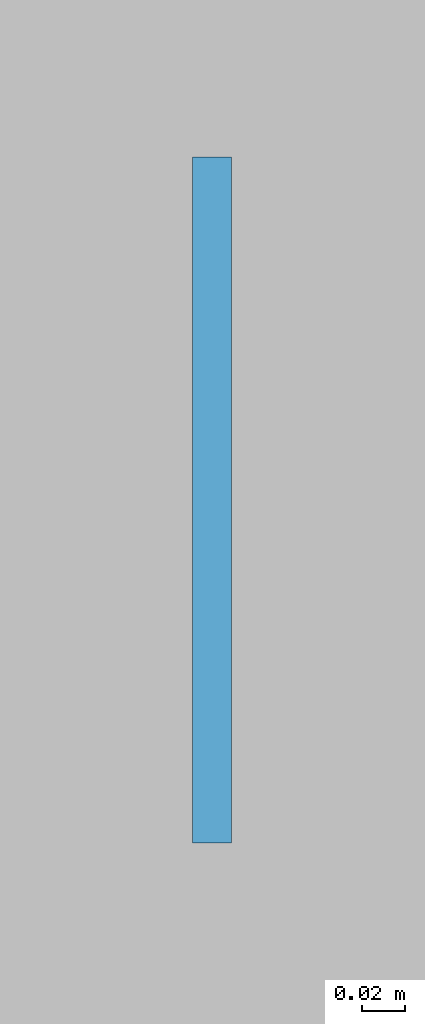
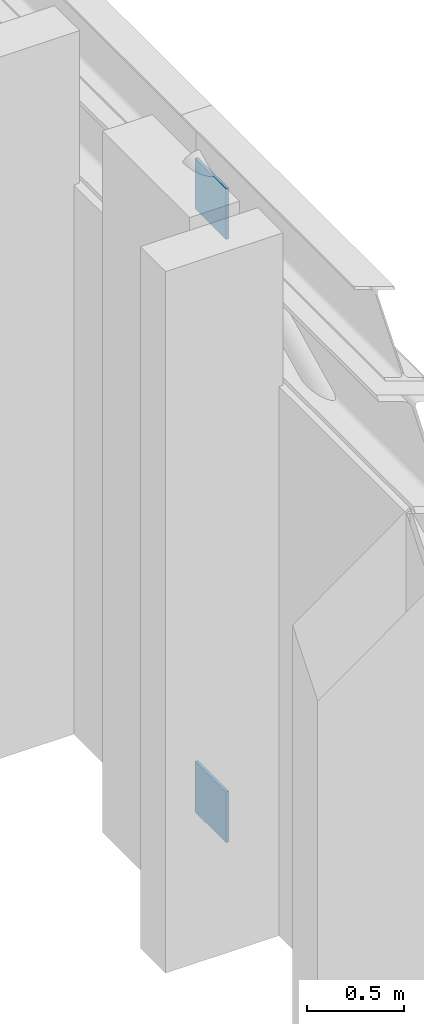
# One storey, part 141 of 192: 2 plates.
"""IFC4 building model written with IfcOpenShell, lengths in metres."""

import ifcopenshell
import ifcopenshell.guid

model = None  # the IFC model being written
_history = None  # IfcOwnerHistory: only IFC2X3 demands one
_inside = {}  # id of a spatial element -> (the spatial element, [elements in it])
_under = {}  # id of a project, library or spatial element -> (it, [spatial elements below it])
_declared = {}  # id of a project -> (the project, [libraries it declares])
_typed = {}  # id of a type object -> (the type object, [elements of that type])
_made_of = {}  # id of a material, layer set ... -> (it, [elements and type objects made of it])


def new_model(schema):
    """Start an empty IFC model of exactly this schema.

    Asked for "IFC4X3", IfcOpenShell would pick the latest addendum, in which some entities
    have other attributes; the version numbers below select the first issue.
    IFC2X3 requires an IfcOwnerHistory on every rooted entity: one is made here for all.
    """
    global model, _history
    if schema == "IFC4X3":
        model = ifcopenshell.file(schema_version=(4, 3, 0, 0))
    else:
        model = ifcopenshell.file(schema=schema)
    _inside.clear()
    _under.clear()
    _declared.clear()
    _typed.clear()
    _made_of.clear()
    _history = None
    if model.schema == "IFC2X3":
        org = make("IfcOrganization", Name="unknown")
        user = make(
            "IfcPersonAndOrganization",
            ThePerson=make("IfcPerson", FamilyName="unknown"),
            TheOrganization=org,
        )
        app = make(
            "IfcApplication",
            ApplicationDeveloper=org,
            Version="unknown",
            ApplicationFullName="unknown",
            ApplicationIdentifier="unknown",
        )
        _history = make(
            "IfcOwnerHistory",
            OwningUser=user,
            OwningApplication=app,
            ChangeAction="ADDED",
            CreationDate=0,
        )
    return model


def make(cls, **values):
    """One entity of the class cls with the attributes given. An attribute that is None is left unset."""
    return model.create_entity(
        cls, **{name: value for name, value in values.items() if value is not None}
    )


def rooted(cls, **values):
    """An entity with a GlobalId (a new one), such as an element, a storey or a relation."""
    return make(cls, GlobalId=ifcopenshell.guid.new(), OwnerHistory=_history, **values)


def si_unit(unit_type, name, prefix=None):
    """IfcSIUnit, for example si_unit("LENGTHUNIT", "METRE", prefix="MILLI")."""
    return make("IfcSIUnit", UnitType=unit_type, Prefix=prefix, Name=name)


def assignment(units):
    """IfcUnitAssignment: the units of a project."""
    return None if units is None else make("IfcUnitAssignment", Units=units)


def point(xyz):
    """IfcCartesianPoint."""
    return None if xyz is None else make("IfcCartesianPoint", Coordinates=xyz)


def direction(xyz):
    """IfcDirection."""
    return None if xyz is None else make("IfcDirection", DirectionRatios=xyz)


def frame(location, z_axis=None, x_axis=None):
    """IfcAxis2Placement3D, a coordinate frame: its origin and axes. An axis left out is left unset."""
    return make(
        "IfcAxis2Placement3D",
        Location=point(location),
        Axis=direction(z_axis),
        RefDirection=direction(x_axis),
    )


def frame_2d(location, x_axis=None):
    """IfcAxis2Placement2D, a coordinate frame in the plane: its origin and x axis."""
    return make(
        "IfcAxis2Placement2D", Location=point(location), RefDirection=direction(x_axis)
    )


def origin():
    """The frame at (0, 0, 0) with its axes left unset."""
    return frame((0.0, 0.0, 0.0))


def origin_2d():
    """The frame at (0, 0) in the plane with its x axis left unset."""
    return frame_2d((0.0, 0.0))


def place(relative_to, where):
    """IfcLocalPlacement: puts the frame where relative to a parent placement (None: the world)."""
    return make(
        "IfcLocalPlacement", PlacementRelTo=relative_to, RelativePlacement=where
    )


def context(
    kind, dimensions, precision=None, world=None, true_north=None, identifier=None
):
    """IfcGeometricRepresentationContext, for example the 3D "Model" context."""
    return make(
        "IfcGeometricRepresentationContext",
        ContextIdentifier=identifier,
        ContextType=kind,
        CoordinateSpaceDimension=dimensions,
        Precision=precision,
        WorldCoordinateSystem=world,
        TrueNorth=true_north,
    )


def subcontext(parent, identifier, kind, view, scale=None):
    """IfcGeometricRepresentationSubContext, for example "Body" below "Model"."""
    return make(
        "IfcGeometricRepresentationSubContext",
        ContextIdentifier=identifier,
        ContextType=kind,
        ParentContext=parent,
        TargetScale=scale,
        TargetView=view,
    )


def project(units=None, contexts=None):
    """IfcProject with its units and contexts."""
    return rooted(
        "IfcProject",
        Name="project",
        RepresentationContexts=contexts,
        UnitsInContext=assignment(units),
    )


def spatial(cls, under=None, at=None, **own):
    """A site, building, storey or space (cls), placed at a placement, below another one or the project."""
    s = rooted(cls, ObjectPlacement=at, **own)
    if under is not None:
        _under.setdefault(under.id(), (under, []))[1].append(s)
    return s


def profile(cls, at=None, kind="AREA", **sizes):
    """A parametric profile (cls). Its sizes go by their IFC names, for example OverallWidth=200.0."""
    return make(cls, ProfileType=kind, Position=at, **sizes)


def rectangle(**sizes):
    """IfcRectangleProfileDef."""
    return profile("IfcRectangleProfileDef", **sizes)


def extrude(swept, where, along, depth):
    """IfcExtrudedAreaSolid: the profile swept, set in the frame where, extruded along a direction by depth."""
    return make(
        "IfcExtrudedAreaSolid",
        SweptArea=swept,
        Position=where,
        ExtrudedDirection=direction(along),
        Depth=depth,
    )


def shape(context_of_items, identifier, shape_type, items):
    """IfcShapeRepresentation: the items that make up one representation, for example the "Body"."""
    return make(
        "IfcShapeRepresentation",
        ContextOfItems=context_of_items,
        RepresentationIdentifier=identifier,
        RepresentationType=shape_type,
        Items=items,
    )


def material(Name=None, Category=None):
    """IfcMaterial."""
    return make("IfcMaterial", Name=Name, Category=Category)


def layer(
    of_material, thickness, ventilated=None, Name=None, Category=None, Priority=None
):
    """IfcMaterialLayer: one layer of a wall or slab, of a material (None: an air gap)."""
    return make(
        "IfcMaterialLayer",
        Material=of_material,
        LayerThickness=thickness,
        IsVentilated=ventilated,
        Name=Name,
        Category=Category,
        Priority=Priority,
    )


def layer_set(layers, Name=None):
    """IfcMaterialLayerSet."""
    return make("IfcMaterialLayerSet", MaterialLayers=layers, LayerSetName=Name)


def made_of(thing, what):
    """Note that an element or type object is made of a material, layer set ...; save() writes the relation."""
    if what is not None:
        _made_of.setdefault(what.id(), (what, []))[1].append(thing)
    return thing


def type_object(cls, material=None, **own):
    """A type object (cls), such as IfcWallType, which elements share."""
    return made_of(rooted(cls, **own), material)


def element(
    cls,
    number,
    at=None,
    inside=None,
    cuts=None,
    type_object=None,
    material=None,
    context=None,
    identifier="Body",
    shape_type=None,
    held_by="IfcProductDefinitionShape",
    body=None,
    shapes=None,
    **own,
):
    """One element of the class cls, such as IfcWall. Its Tag is "e" and its number.

    at: its placement. inside: the storey or other place that contains it. cuts: it is an
    opening in that element (IfcRelVoidsElement). A single representation is given by context,
    identifier, shape_type and body (its items); several are given by shapes. held_by: the class
    of the entity that holds the representations. save() writes the other relations.
    """
    e = rooted(cls, Tag="e%d" % number, ObjectPlacement=at, **own)
    if body is not None:
        shapes = [shape(context, identifier, shape_type, body)]
    if shapes is not None:
        e.Representation = make(held_by, Representations=shapes)
    if inside is not None:
        _inside.setdefault(inside.id(), (inside, []))[1].append(e)
    if cuts is not None:
        rooted(
            "IfcRelVoidsElement", RelatingBuildingElement=cuts, RelatedOpeningElement=e
        )
    if type_object is not None:
        _typed.setdefault(type_object.id(), (type_object, []))[1].append(e)
    return made_of(e, material)


def aggregate(whole, parts):
    """IfcRelAggregates: a whole, such as a stair, and the parts it consists of."""
    return rooted("IfcRelAggregates", RelatingObject=whole, RelatedObjects=parts)


def save(model, path):
    """Write the relations noted so far, then the file.

    IfcRelAggregates (storeys below a building ...), IfcRelContainedInSpatialStructure (elements
    in a storey), IfcRelDefinesByType, IfcRelAssociatesMaterial and IfcRelDeclares: one each for
    every whole, place, type object, material and project.
    """
    for whole, parts in _under.values():
        aggregate(whole, parts)
    for where, things in _inside.values():
        rooted(
            "IfcRelContainedInSpatialStructure",
            RelatedElements=things,
            RelatingStructure=where,
        )
    for kind, things in _typed.values():
        rooted("IfcRelDefinesByType", RelatedObjects=things, RelatingType=kind)
    for what, things in _made_of.values():
        rooted("IfcRelAssociatesMaterial", RelatedObjects=things, RelatingMaterial=what)
    for by, libraries in _declared.values():
        rooted("IfcRelDeclares", RelatingContext=by, RelatedDefinitions=libraries)
    model.write(path)


model = new_model("IFC4")

# Units and contexts
model_context = context("Model", 3, precision=1e-05, world=origin(), true_north=direction((0.0, 1.0)))
body_context = subcontext(model_context, "Body", "Model", "MODEL_VIEW")
ifc_project = project(units=[si_unit("LENGTHUNIT", "METRE"), si_unit("AREAUNIT", "SQUARE_METRE"), si_unit("VOLUMEUNIT", "CUBIC_METRE"), si_unit("PLANEANGLEUNIT", "RADIAN"), si_unit("MASSUNIT", "GRAM", prefix="KILO")], contexts=[model_context])

# Site, building, storey
site_placement = place(None, origin())
site = spatial("IfcSite", under=ifc_project, at=site_placement, CompositionType="ELEMENT")
building_placement = place(site_placement, origin())
building = spatial("IfcBuilding", under=site, at=building_placement, Name="Kveldsbrygga Polytechnic", CompositionType="ELEMENT")
storey_placement = place(building_placement, frame((0.0, 0.0, 5.43994140625)))
storey = spatial("IfcBuildingStorey", under=building, at=storey_placement, Name="L01", CompositionType="ELEMENT", Elevation=5.43994140625)

# Plates
ifc_material = material(Name="Steel S355", Category="steel")
ifc_layer = layer(ifc_material, 0.01806640625)
ifc_layer_set = layer_set([ifc_layer], Name="Steel S355")
plate_type = type_object("IfcPlateType", Name="GUS-BRACE-320", PredefinedType="SHEET", material=ifc_layer_set)
for number, where, z_axis, x_axis, name in (
    (1, (0.0, 33.43994140625, 3.7998046875), (0.0, 0.0, 1.0), (1.0, 0.0, 0.0), "Portal Brace End Gusset XGP-VBR-L01-W-3-2"),
    (2, (0.0, 33.43994140625, 0.0), (0.0, 0.0, 1.0), (1.0, 0.0, 0.0), "Portal Brace End Gusset XGP-VBR-L01-W-3-3"),
):
    element("IfcPlate", number, at=place(storey_placement, frame(where, z_axis=z_axis, x_axis=x_axis)), inside=storey, type_object=plate_type, Name=name, PredefinedType="SHEET", context=body_context, shape_type="SweptSolid", body=[
        extrude(rectangle(XDim=0.01806640625, YDim=0.320068359375, at=origin_2d()), origin(), (0.0, 0.0, 1.0), 0.320068359375),
    ])

save(model, "model.ifc")
